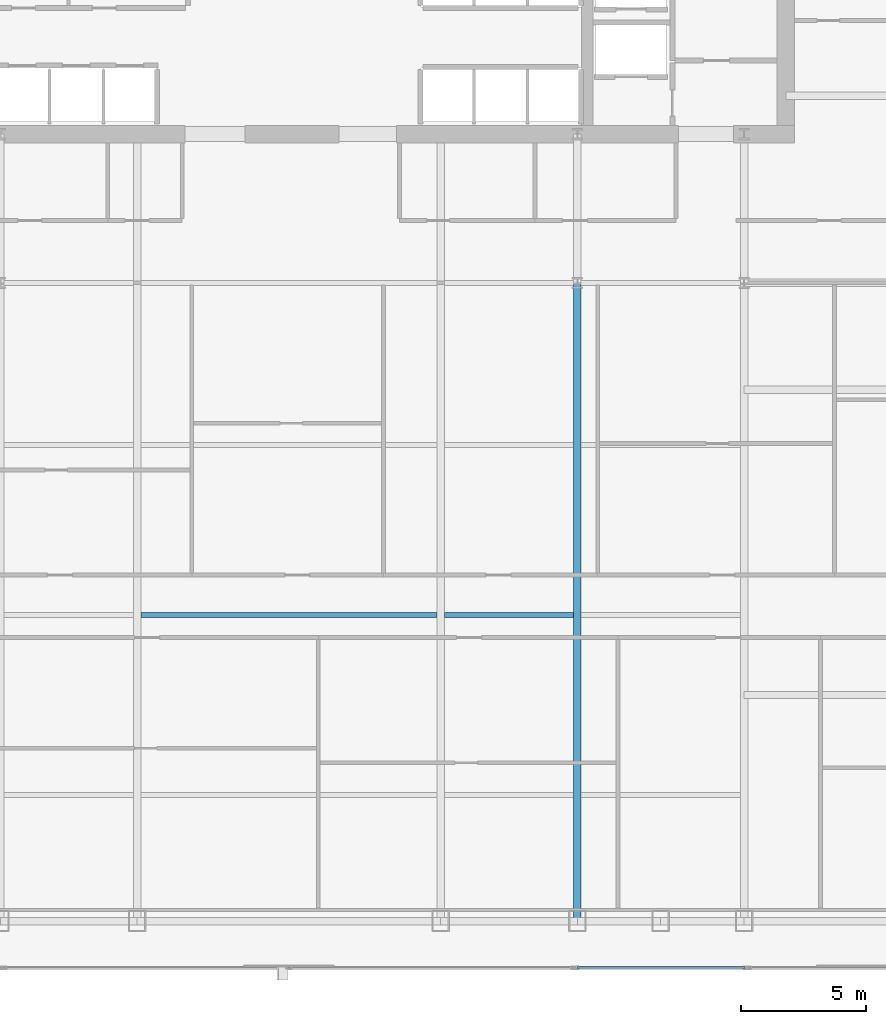
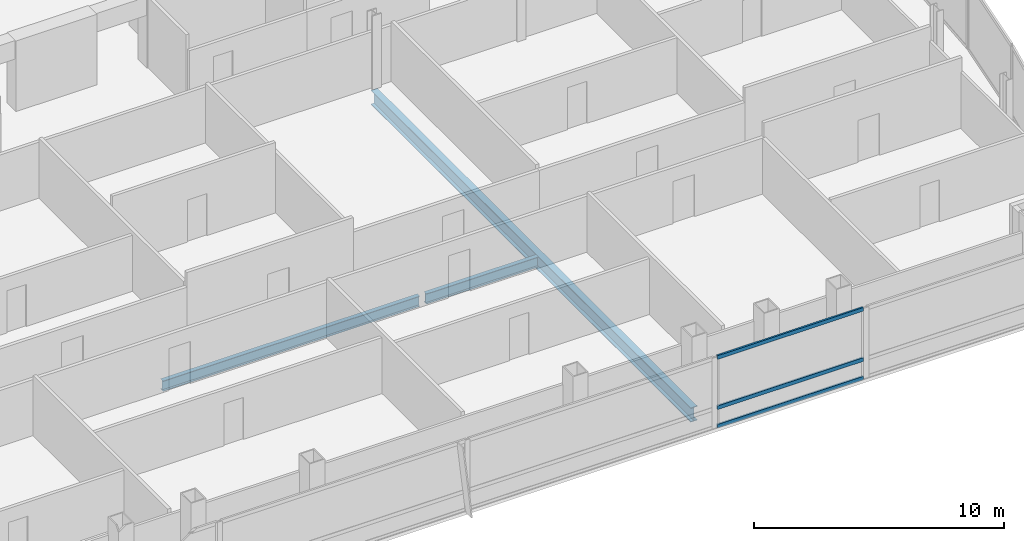
# One storey, part 14 of 29: 3 beams, 3 members, 1 element without a shape of its own.
"""IFC4 building model written with IfcOpenShell, lengths in metres."""

from ifc_helpers import new_model, si_unit, direction, frame, origin, origin_2d, place, context, subcontext, project, spatial, hollow_rectangle, i_section, extrude, material, material_profile, profile_set, type_object, element, aggregate, save


model = new_model("IFC4")

# Units and contexts
model_context = context("Model", 3, precision=1e-05, world=origin(), true_north=direction((0.0, 1.0)))
body_context = subcontext(model_context, "Body", "Model", "MODEL_VIEW")
ifc_project = project(units=[si_unit("LENGTHUNIT", "METRE"), si_unit("AREAUNIT", "SQUARE_METRE"), si_unit("VOLUMEUNIT", "CUBIC_METRE"), si_unit("PLANEANGLEUNIT", "RADIAN"), si_unit("MASSUNIT", "GRAM", prefix="KILO")], contexts=[model_context])

# Site, building, storey
site_placement = place(None, origin())
site = spatial("IfcSite", under=ifc_project, at=site_placement, CompositionType="ELEMENT")
building_placement = place(site_placement, origin())
building = spatial("IfcBuilding", under=site, at=building_placement, Name="Khoronbel Lancet Exchange", CompositionType="ELEMENT")
storey_placement = place(building_placement, frame((0.0, 0.0, 161.39990234375)))
storey = spatial("IfcBuildingStorey", under=building, at=storey_placement, Name="L40", CompositionType="ELEMENT", Elevation=161.39990234375)

# Beams
ifc_material_1 = material(Name="Steel S355", Category="steel")
ifc_material_profile_1 = material_profile(ifc_material_1, i_section(OverallWidth=0.300048828125, OverallDepth=0.699951171875, WebThickness=0.01708984375, FlangeThickness=0.031982421875, at=origin_2d()), Name="HEB 700")
ifc_profile_set_1 = profile_set([ifc_material_profile_1], Name="Steel S355")
beam_type_1 = type_object("IfcBeamType", Name="BM-BG3", PredefinedType="BEAM", material=ifc_profile_set_1)
beam_1_placement = place(storey_placement, frame((48.0, 10.14990234375, -0.510009765625), z_axis=(0.0, 1.0, 0.0), x_axis=(-1.0, 0.0, 0.0)))
element("IfcBeam", 1, at=beam_1_placement, inside=storey, type_object=beam_type_1, Name="Level L40 south primary girder GS5", PredefinedType="BEAM", context=body_context, shape_type="SweptSolid", body=[
    extrude(i_section(OverallWidth=0.300048828125, OverallDepth=0.699951171875, WebThickness=0.01708984375, FlangeThickness=0.031982421875, at=origin_2d()), origin(), (0.0, 0.0, 1.0), 25.550048828125),
])
ifc_material_profile_2 = material_profile(ifc_material_1, i_section(OverallWidth=0.199951171875, OverallDepth=0.5, WebThickness=0.01025390625, FlangeThickness=0.01611328125, at=origin_2d()), Name="IPE 500")
ifc_profile_set_2 = profile_set([ifc_material_profile_2], Name="Steel S355")
beam_type_2 = type_object("IfcBeamType", Name="BM-BJ3", PredefinedType="JOIST", material=ifc_profile_set_2)
beam_2_placement = place(storey_placement, frame((30.52490234375, 22.39990234375, -0.409912109375), z_axis=(1.0, 0.0, 0.0), x_axis=(0.0, 1.0, 0.0)))
element("IfcBeam", 2, at=beam_2_placement, inside=storey, type_object=beam_type_2, Name="Level L40 secondary composite joist J08", PredefinedType="JOIST", context=body_context, shape_type="SweptSolid", body=[
    extrude(i_section(OverallWidth=0.199951171875, OverallDepth=0.5, WebThickness=0.01025390625, FlangeThickness=0.01611328125, at=origin_2d()), origin(), (0.0, 0.0, 1.0), 11.85009765625),
])
beam_3_placement = place(storey_placement, frame((42.675048828125, 22.39990234375, -0.409912109375), z_axis=(1.0, 0.0, 0.0), x_axis=(0.0, 1.0, 0.0)))
element("IfcBeam", 3, at=beam_3_placement, inside=storey, type_object=beam_type_2, Name="Level L40 secondary composite joist J09", PredefinedType="JOIST", context=body_context, shape_type="SweptSolid", body=[
    extrude(i_section(OverallWidth=0.199951171875, OverallDepth=0.5, WebThickness=0.01025390625, FlangeThickness=0.01611328125, at=origin_2d()), origin(), (0.0, 0.0, 1.0), 5.175048828125),
])

# Curtain wall, members
ifc_material_2 = material(Name="Low-E Solar Control Insulating Glass", Category="glass")
curtain_wall_type = type_object("IfcCurtainWallType", Name="CW-3", PredefinedType="NOTDEFINED", material=ifc_material_2)
curtain_wall_placement = place(storey_placement, origin())
curtain_wall = element("IfcCurtainWall", 4, at=curtain_wall_placement, inside=storey, type_object=curtain_wall_type, Name="Unitised curtain wall CW-L40-SEB", PredefinedType="NOTDEFINED")
ifc_material_3 = material(Name="Bronze-Anodised Aluminium 6063-T6", Category="aluminium")
ifc_material_profile_3 = material_profile(ifc_material_3, hollow_rectangle(XDim=0.0849609375, YDim=0.179931640625, WallThickness=0.0048828125, at=origin_2d()), Name="ALU TRANSOM 85x180")
ifc_profile_set_3 = profile_set([ifc_material_profile_3], Name="Bronze-Anodised Aluminium 6063-T6")
member_type = type_object("IfcMemberType", Name="MEM-CWT1", PredefinedType="USERDEFINED", material=ifc_profile_set_3)
member_1_placement = place(storey_placement, frame((47.985107421875, 8.2900390625, 0.04248046875), z_axis=(1.0, 0.0, 0.0), x_axis=(0.0, 1.0, 0.0)))
member_1 = element("IfcMember", 5, at=member_1_placement, type_object=member_type, Name="CW3 transom 1.1", ObjectType="TRANSOM", PredefinedType="USERDEFINED", context=body_context, shape_type="SweptSolid", body=[
    extrude(hollow_rectangle(XDim=0.0849609375, YDim=0.179931640625, WallThickness=0.0048828125, at=origin_2d()), origin(), (0.0, 0.0, 1.0), 6.72998046875),
])
member_2_placement = place(storey_placement, frame((47.985107421875, 8.2900390625, 0.9501953125), z_axis=(1.0, 0.0, 0.0), x_axis=(0.0, 1.0, 0.0)))
member_2 = element("IfcMember", 6, at=member_2_placement, type_object=member_type, Name="CW3 transom 1.2", ObjectType="TRANSOM", PredefinedType="USERDEFINED", context=body_context, shape_type="SweptSolid", body=[
    extrude(hollow_rectangle(XDim=0.0849609375, YDim=0.179931640625, WallThickness=0.0048828125, at=origin_2d()), origin(), (0.0, 0.0, 1.0), 6.72998046875),
])
member_3_placement = place(storey_placement, frame((47.985107421875, 8.2900390625, 3.397705078125), z_axis=(1.0, 0.0, 0.0), x_axis=(0.0, 1.0, 0.0)))
member_3 = element("IfcMember", 7, at=member_3_placement, type_object=member_type, Name="CW3 transom 1.3", ObjectType="TRANSOM", PredefinedType="USERDEFINED", context=body_context, shape_type="SweptSolid", body=[
    extrude(hollow_rectangle(XDim=0.0849609375, YDim=0.179931640625, WallThickness=0.0048828125, at=origin_2d()), origin(), (0.0, 0.0, 1.0), 6.72998046875),
])
aggregate(curtain_wall, [member_1, member_2, member_3])

save(model, "model.ifc")
